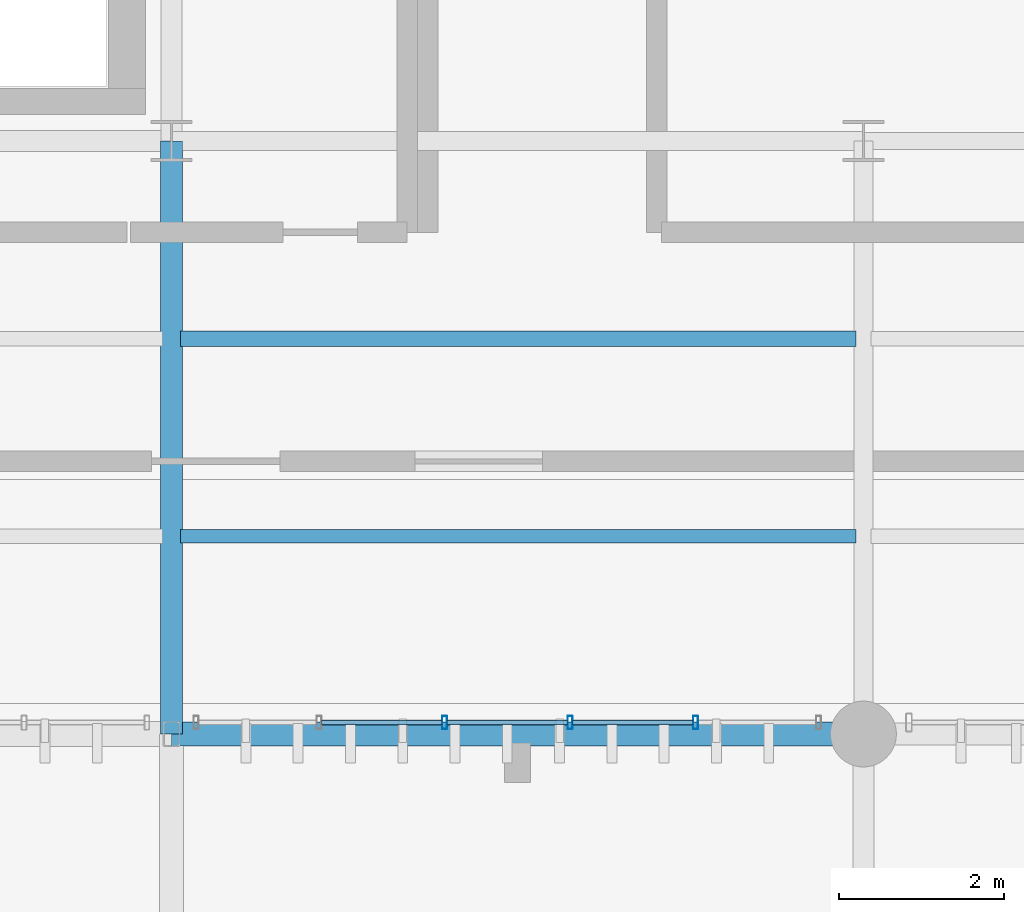
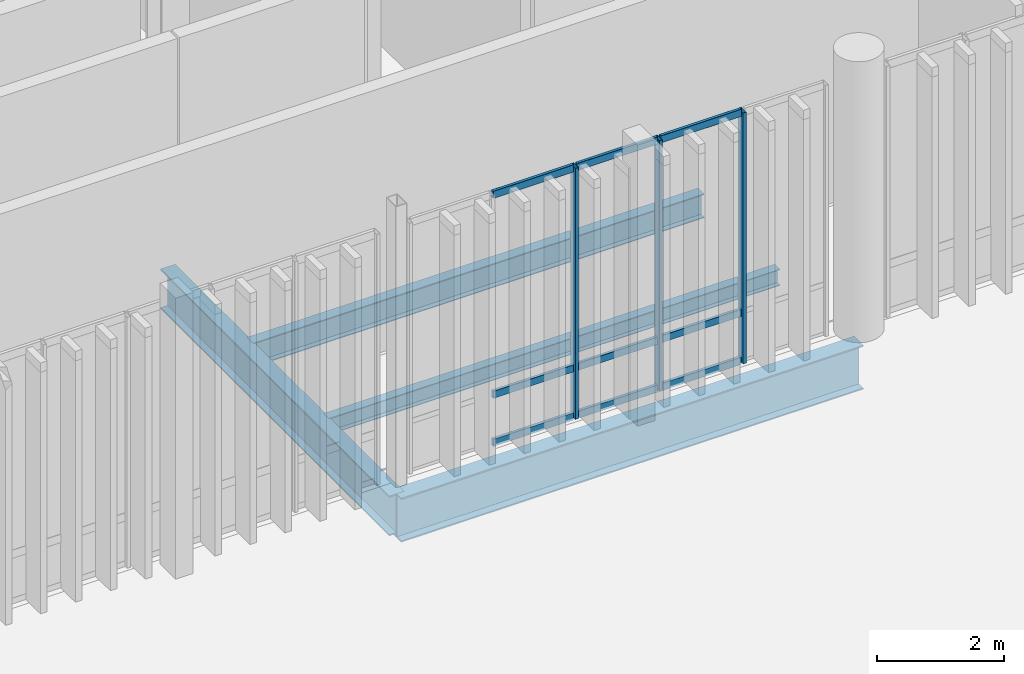
# One storey, part 36 of 112: 12 members, 4 beams, 1 element without a shape of its own.
"""IFC4 building model written with IfcOpenShell, lengths in metres."""

from ifc_helpers import new_model, si_unit, direction, frame, origin_with_axes, origin_2d_with_axis, place, context, subcontext, project, spatial, hollow_rectangle, i_section, extrude, material, material_profile, profile_set, type_object, element, aggregate, save


model = new_model("IFC4")

# Units and contexts
model_context = context("Model", 3, precision=1e-05, world=origin_with_axes(), true_north=direction((0.0, 1.0)))
body_context = subcontext(model_context, "Body", "Model", "MODEL_VIEW")
ifc_project = project(units=[si_unit("LENGTHUNIT", "METRE"), si_unit("AREAUNIT", "SQUARE_METRE"), si_unit("VOLUMEUNIT", "CUBIC_METRE"), si_unit("PLANEANGLEUNIT", "RADIAN"), si_unit("MASSUNIT", "GRAM", prefix="KILO"), si_unit("THERMODYNAMICTEMPERATUREUNIT", "KELVIN")], contexts=[model_context])

# Site, building, storey
site_placement = place(None, origin_with_axes())
site = spatial("IfcSite", under=ifc_project, at=site_placement, CompositionType="ELEMENT")
building_placement = place(site_placement, origin_with_axes())
building = spatial("IfcBuilding", under=site, at=building_placement, Name="Montbau Bow Law Courts", CompositionType="ELEMENT")
storey_placement = place(building_placement, origin_with_axes())
storey = spatial("IfcBuildingStorey", under=building, at=storey_placement, Name="L00", CompositionType="ELEMENT", Elevation=0.0)

# Beams
ifc_material_1 = material(Name="Steel CSA G40.21 Grade 350W (350 MPa)", Category="steel")
ifc_material_profile_1 = material_profile(ifc_material_1, i_section(OverallWidth=0.293, OverallDepth=0.846, WebThickness=0.0154, FlangeThickness=0.0244, at=origin_2d_with_axis()), Name="W840X210", Category="Main", Priority=0)
ifc_profile_set_1 = profile_set([ifc_material_profile_1], Name="Steel CSA G40.21 Grade 350W (350 MPa)")
beam_type_1 = type_object("IfcBeamType", Name="B-FLR-02", PredefinedType="BEAM", material=ifc_profile_set_1)
beam_1_placement = place(None, frame((63.6, 39.0, -0.663), z_axis=(1.0, 0.0, 0.0), x_axis=(0.0, 1.0, 0.0)))
element("IfcBeam", 1, at=beam_1_placement, inside=storey, type_object=beam_type_1, Name="BM-L00-S0190:bm2_0193", PredefinedType="BEAM", context=body_context, shape_type="SweptSolid", body=[
    extrude(i_section(OverallWidth=0.293, OverallDepth=0.846, WebThickness=0.0154, FlangeThickness=0.0244, at=origin_2d_with_axis()), origin_with_axes(), (0.0, 0.0, 1.0), 8.4),
])
ifc_material_profile_2 = material_profile(ifc_material_1, i_section(OverallWidth=0.267, OverallDepth=0.766, WebThickness=0.0149, FlangeThickness=0.0236, at=origin_2d_with_axis()), Name="W760X185", Category="Main", Priority=0)
ifc_profile_set_2 = profile_set([ifc_material_profile_2], Name="Steel CSA G40.21 Grade 350W (350 MPa)")
beam_type_2 = type_object("IfcBeamType", Name="B-FLR-03", PredefinedType="BEAM", material=ifc_profile_set_2)
beam_2_placement = place(None, frame((63.6, 39.0, -0.623), z_axis=(0.0, 1.0, 0.0), x_axis=(-1.0, 0.0, 0.0)))
element("IfcBeam", 2, at=beam_2_placement, inside=storey, type_object=beam_type_2, Name="BM-L00-S0284:bm2_0287", PredefinedType="BEAM", context=body_context, shape_type="SweptSolid", body=[
    extrude(i_section(OverallWidth=0.267, OverallDepth=0.766, WebThickness=0.0149, FlangeThickness=0.0236, at=origin_2d_with_axis()), origin_with_axes(), (0.0, 0.0, 1.0), 7.2),
])
ifc_material_profile_3 = material_profile(ifc_material_1, i_section(OverallWidth=0.191, OverallDepth=0.46, WebThickness=0.0099, FlangeThickness=0.016, at=origin_2d_with_axis()), Name="W460X82", Category="Main", Priority=0)
ifc_profile_set_3 = profile_set([ifc_material_profile_3], Name="Steel CSA G40.21 Grade 350W (350 MPa)")
beam_type_3 = type_object("IfcBeamType", Name="B-JST-01", PredefinedType="JOIST", material=ifc_profile_set_3)
beam_3_placement = place(None, frame((63.709, 43.8, -0.47), z_axis=(1.0, 0.0, 0.0), x_axis=(0.0, 1.0, 0.0)))
element("IfcBeam", 3, at=beam_3_placement, inside=storey, type_object=beam_type_3, Name="JST-L00-S0068:jst2_0068", PredefinedType="JOIST", context=body_context, shape_type="SweptSolid", body=[
    extrude(i_section(OverallWidth=0.191, OverallDepth=0.46, WebThickness=0.0099, FlangeThickness=0.016, at=origin_2d_with_axis()), origin_with_axes(), (0.0, 0.0, 1.0), 8.2),
])
ifc_material_profile_4 = material_profile(ifc_material_1, i_section(OverallWidth=0.166, OverallDepth=0.313, WebThickness=0.0066, FlangeThickness=0.0112, at=origin_2d_with_axis()), Name="W310X45", Category="Main", Priority=0)
ifc_profile_set_4 = profile_set([ifc_material_profile_4], Name="Steel CSA G40.21 Grade 350W (350 MPa)")
beam_type_4 = type_object("IfcBeamType", Name="B-JST-04", PredefinedType="JOIST", material=ifc_profile_set_4)
beam_4_placement = place(None, frame((63.709, 41.4, -0.396), z_axis=(1.0, 0.0, 0.0), x_axis=(0.0, 1.0, 0.0)))
element("IfcBeam", 4, at=beam_4_placement, inside=storey, type_object=beam_type_4, Name="JST-L00-S0067:jst2_0067", PredefinedType="JOIST", context=body_context, shape_type="SweptSolid", body=[
    extrude(i_section(OverallWidth=0.166, OverallDepth=0.313, WebThickness=0.0066, FlangeThickness=0.0112, at=origin_2d_with_axis()), origin_with_axes(), (0.0, 0.0, 1.0), 8.2),
])

# Curtain wall, members
ifc_material_2 = material(Name="Thermally Broken Extruded Aluminium AA 6063-T6", Category="aluminium")
curtain_wall_type = type_object("IfcCurtainWallType", Name="CW-CRM-01", PredefinedType="NOTDEFINED", material=ifc_material_2)
curtain_wall_placement = place(None, frame((63.868, 39.14, 0.0), z_axis=(0.0, 0.0, 1.0), x_axis=(1.0, 0.0, 0.0)))
curtain_wall = element("IfcCurtainWall", 5, at=curtain_wall_placement, inside=storey, type_object=curtain_wall_type, Name="CW-L00-125:cw_0125", PredefinedType="NOTDEFINED")
ifc_material_profile_5 = material_profile(ifc_material_2, hollow_rectangle(XDim=0.06, YDim=0.16, WallThickness=0.004, InnerFilletRadius=0.008, OuterFilletRadius=0.004, at=origin_2d_with_axis()), Name="CWM-160X60", Category="Main", Priority=0)
ifc_profile_set_5 = profile_set([ifc_material_profile_5], Name="Thermally Broken Extruded Aluminium AA 6063-T6")
member_type_1 = type_object("IfcMemberType", Name="M-MUL-03", PredefinedType="MULLION", material=ifc_profile_set_5)
member_1_placement = place(None, frame((66.915, 39.14, 0.0), z_axis=(0.0, 0.0, 1.0), x_axis=(1.0, 0.0, 0.0)))
member_1 = element("IfcMember", 6, at=member_1_placement, type_object=member_type_1, Name="CW-L00-125-M03:cw_0125_M03", PredefinedType="MULLION", context=body_context, shape_type="SweptSolid", body=[
    extrude(hollow_rectangle(XDim=0.06, YDim=0.16, WallThickness=0.004, InnerFilletRadius=0.008, OuterFilletRadius=0.004, at=origin_2d_with_axis()), origin_with_axes(), (0.0, 0.0, 1.0), 4.82),
])
member_2_placement = place(None, frame((68.438, 39.14, 0.0), z_axis=(0.0, 0.0, 1.0), x_axis=(1.0, 0.0, 0.0)))
member_2 = element("IfcMember", 7, at=member_2_placement, type_object=member_type_1, Name="CW-L00-125-M04:cw_0125_M04", PredefinedType="MULLION", context=body_context, shape_type="SweptSolid", body=[
    extrude(hollow_rectangle(XDim=0.06, YDim=0.16, WallThickness=0.004, InnerFilletRadius=0.008, OuterFilletRadius=0.004, at=origin_2d_with_axis()), origin_with_axes(), (0.0, 0.0, 1.0), 4.82),
])
member_3_placement = place(None, frame((69.962, 39.14, 0.0), z_axis=(0.0, 0.0, 1.0), x_axis=(1.0, 0.0, 0.0)))
member_3 = element("IfcMember", 8, at=member_3_placement, type_object=member_type_1, Name="CW-L00-125-M05:cw_0125_M05", PredefinedType="MULLION", context=body_context, shape_type="SweptSolid", body=[
    extrude(hollow_rectangle(XDim=0.06, YDim=0.16, WallThickness=0.004, InnerFilletRadius=0.008, OuterFilletRadius=0.004, at=origin_2d_with_axis()), origin_with_axes(), (0.0, 0.0, 1.0), 4.82),
])
ifc_material_profile_6 = material_profile(ifc_material_2, hollow_rectangle(XDim=0.055, YDim=0.14, WallThickness=0.004, InnerFilletRadius=0.008, OuterFilletRadius=0.004, at=origin_2d_with_axis()), Name="CWT-140X55", Category="Main", Priority=0)
ifc_profile_set_6 = profile_set([ifc_material_profile_6], Name="Thermally Broken Extruded Aluminium AA 6063-T6")
member_type_2 = type_object("IfcMemberType", Name="M-TRN-02", PredefinedType="USERDEFINED", material=ifc_profile_set_6)
member_4_placement = place(None, frame((65.423, 39.14, 0.028), z_axis=(1.0, 0.0, 0.0), x_axis=(0.0, 1.0, 0.0)))
member_4 = element("IfcMember", 9, at=member_4_placement, type_object=member_type_2, Name="CW-L00-125-T02-1:cw_0125_T02_1", ObjectType="TRANSOM", PredefinedType="USERDEFINED", context=body_context, shape_type="SweptSolid", body=[
    extrude(hollow_rectangle(XDim=0.055, YDim=0.14, WallThickness=0.004, InnerFilletRadius=0.008, OuterFilletRadius=0.004, at=origin_2d_with_axis()), origin_with_axes(), (0.0, 0.0, 1.0), 1.46),
])
member_5_placement = place(None, frame((65.423, 39.14, 0.95), z_axis=(1.0, 0.0, 0.0), x_axis=(0.0, 1.0, 0.0)))
member_5 = element("IfcMember", 10, at=member_5_placement, type_object=member_type_2, Name="CW-L00-125-T02-2:cw_0125_T02_2", ObjectType="TRANSOM", PredefinedType="USERDEFINED", context=body_context, shape_type="SweptSolid", body=[
    extrude(hollow_rectangle(XDim=0.055, YDim=0.14, WallThickness=0.004, InnerFilletRadius=0.008, OuterFilletRadius=0.004, at=origin_2d_with_axis()), origin_with_axes(), (0.0, 0.0, 1.0), 1.46),
])
member_6_placement = place(None, frame((65.423, 39.14, 4.793), z_axis=(1.0, 0.0, 0.0), x_axis=(0.0, 1.0, 0.0)))
member_6 = element("IfcMember", 11, at=member_6_placement, type_object=member_type_2, Name="CW-L00-125-T02-3:cw_0125_T02_3", ObjectType="TRANSOM", PredefinedType="USERDEFINED", context=body_context, shape_type="SweptSolid", body=[
    extrude(hollow_rectangle(XDim=0.055, YDim=0.14, WallThickness=0.004, InnerFilletRadius=0.008, OuterFilletRadius=0.004, at=origin_2d_with_axis()), origin_with_axes(), (0.0, 0.0, 1.0), 1.46),
])
member_7_placement = place(None, frame((66.947, 39.14, 0.028), z_axis=(1.0, 0.0, 0.0), x_axis=(0.0, 1.0, 0.0)))
member_7 = element("IfcMember", 12, at=member_7_placement, type_object=member_type_2, Name="CW-L00-125-T03-1:cw_0125_T03_1", ObjectType="TRANSOM", PredefinedType="USERDEFINED", context=body_context, shape_type="SweptSolid", body=[
    extrude(hollow_rectangle(XDim=0.055, YDim=0.14, WallThickness=0.004, InnerFilletRadius=0.008, OuterFilletRadius=0.004, at=origin_2d_with_axis()), origin_with_axes(), (0.0, 0.0, 1.0), 1.459),
])
member_8_placement = place(None, frame((66.947, 39.14, 0.95), z_axis=(1.0, 0.0, 0.0), x_axis=(0.0, 1.0, 0.0)))
member_8 = element("IfcMember", 13, at=member_8_placement, type_object=member_type_2, Name="CW-L00-125-T03-2:cw_0125_T03_2", ObjectType="TRANSOM", PredefinedType="USERDEFINED", context=body_context, shape_type="SweptSolid", body=[
    extrude(hollow_rectangle(XDim=0.055, YDim=0.14, WallThickness=0.004, InnerFilletRadius=0.008, OuterFilletRadius=0.004, at=origin_2d_with_axis()), origin_with_axes(), (0.0, 0.0, 1.0), 1.459),
])
member_9_placement = place(None, frame((66.947, 39.14, 4.793), z_axis=(1.0, 0.0, 0.0), x_axis=(0.0, 1.0, 0.0)))
member_9 = element("IfcMember", 14, at=member_9_placement, type_object=member_type_2, Name="CW-L00-125-T03-3:cw_0125_T03_3", ObjectType="TRANSOM", PredefinedType="USERDEFINED", context=body_context, shape_type="SweptSolid", body=[
    extrude(hollow_rectangle(XDim=0.055, YDim=0.14, WallThickness=0.004, InnerFilletRadius=0.008, OuterFilletRadius=0.004, at=origin_2d_with_axis()), origin_with_axes(), (0.0, 0.0, 1.0), 1.459),
])
member_10_placement = place(None, frame((68.47, 39.14, 0.028), z_axis=(1.0, 0.0, 0.0), x_axis=(0.0, 1.0, 0.0)))
member_10 = element("IfcMember", 15, at=member_10_placement, type_object=member_type_2, Name="CW-L00-125-T04-1:cw_0125_T04_1", ObjectType="TRANSOM", PredefinedType="USERDEFINED", context=body_context, shape_type="SweptSolid", body=[
    extrude(hollow_rectangle(XDim=0.055, YDim=0.14, WallThickness=0.004, InnerFilletRadius=0.008, OuterFilletRadius=0.004, at=origin_2d_with_axis()), origin_with_axes(), (0.0, 0.0, 1.0), 1.46),
])
member_11_placement = place(None, frame((68.47, 39.14, 0.95), z_axis=(1.0, 0.0, 0.0), x_axis=(0.0, 1.0, 0.0)))
member_11 = element("IfcMember", 16, at=member_11_placement, type_object=member_type_2, Name="CW-L00-125-T04-2:cw_0125_T04_2", ObjectType="TRANSOM", PredefinedType="USERDEFINED", context=body_context, shape_type="SweptSolid", body=[
    extrude(hollow_rectangle(XDim=0.055, YDim=0.14, WallThickness=0.004, InnerFilletRadius=0.008, OuterFilletRadius=0.004, at=origin_2d_with_axis()), origin_with_axes(), (0.0, 0.0, 1.0), 1.46),
])
member_12_placement = place(None, frame((68.47, 39.14, 4.793), z_axis=(1.0, 0.0, 0.0), x_axis=(0.0, 1.0, 0.0)))
member_12 = element("IfcMember", 17, at=member_12_placement, type_object=member_type_2, Name="CW-L00-125-T04-3:cw_0125_T04_3", ObjectType="TRANSOM", PredefinedType="USERDEFINED", context=body_context, shape_type="SweptSolid", body=[
    extrude(hollow_rectangle(XDim=0.055, YDim=0.14, WallThickness=0.004, InnerFilletRadius=0.008, OuterFilletRadius=0.004, at=origin_2d_with_axis()), origin_with_axes(), (0.0, 0.0, 1.0), 1.46),
])
aggregate(curtain_wall, [member_1, member_2, member_3, member_4, member_5, member_6, member_7, member_8, member_9, member_10, member_11, member_12])

save(model, "model.ifc")
